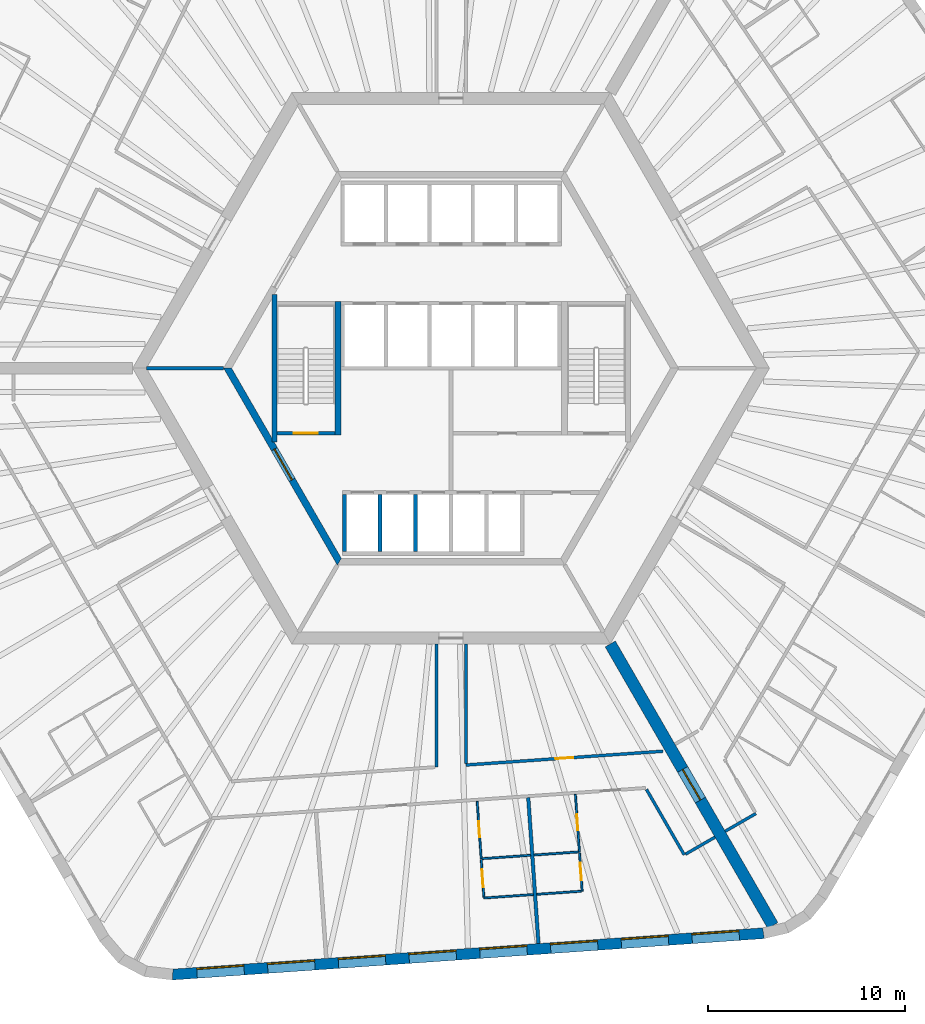
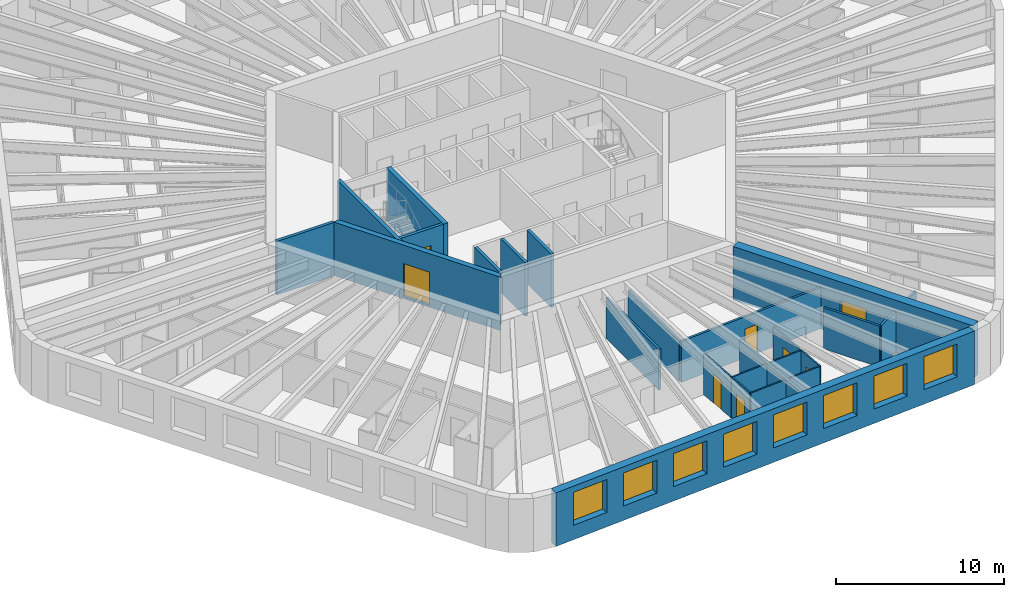
# One storey, part 4 of 11: 25 walls, 8 doors, 8 windows, 16 openings.
"""IFC4 building model written with IfcOpenShell, lengths in metres."""

from ifc_helpers import new_model, si_unit, direction, frame, frame_2d, origin, place, context, subcontext, project, spatial, polyline, rectangle, outline, extrude, material, layer, layer_set, type_object, element, fill, save


model = new_model("IFC4")

# Units and contexts
model_context = context("Model", 3, precision=1e-05, world=origin(), true_north=direction((0.0, 1.0)))
body_context = subcontext(model_context, "Body", "Model", "MODEL_VIEW")
ifc_project = project(units=[si_unit("LENGTHUNIT", "METRE"), si_unit("AREAUNIT", "SQUARE_METRE"), si_unit("VOLUMEUNIT", "CUBIC_METRE"), si_unit("PLANEANGLEUNIT", "RADIAN"), si_unit("MASSUNIT", "GRAM", prefix="KILO")], contexts=[model_context])

# Site, building, storey
site_placement = place(None, origin())
site = spatial("IfcSite", under=ifc_project, at=site_placement, CompositionType="ELEMENT")
building_placement = place(site_placement, origin())
building = spatial("IfcBuilding", under=site, at=building_placement, Name="Tarnside Tower", CompositionType="ELEMENT")
storey_placement = place(building_placement, frame((0.0, 0.0, 41.39990234375)))
storey = spatial("IfcBuildingStorey", under=building, at=storey_placement, Name="L07", CompositionType="ELEMENT", Elevation=41.39990234375)

# Wall, opening, door
ifc_material_1 = material(Name="Gypsum board partition on steel studs", Category="steel")
ifc_layer_1 = layer(ifc_material_1, 0.10009765625)
ifc_layer_set_1 = layer_set([ifc_layer_1], Name="Bathroom wall 100")
wall_type_1 = type_object("IfcWallType", Name="Bathroom wall 100", PredefinedType="PARTITIONING", material=ifc_layer_set_1)
wall_1_placement = place(storey_placement, frame((1.52978515625, -24.904052734375, 0.0), z_axis=(0.0, 0.0, 1.0), x_axis=(-0.069775971057, 0.997562686683, 0.0)))
wall_1 = element("IfcWall", 1, at=wall_1_placement, inside=storey, type_object=wall_type_1, Name="Bathroom wall 01116", PredefinedType="PARTITIONING", context=body_context, shape_type="SweptSolid", body=[
    extrude(rectangle(XDim=2.925048828125, YDim=0.10009765625, at=frame_2d((1.46240234375, 0.0))), origin(), (0.0, 0.0, 1.0), 2.98779296875),
])
opening_1_placement = place(wall_1_placement, frame((1.10009765625, 0.0, 0.0)))
opening_1 = element("IfcOpeningElement", 2, at=opening_1_placement, cuts=wall_1, Name="Opening D-B1", PredefinedType="OPENING", context=body_context, shape_type="SweptSolid", body=[
    extrude(rectangle(XDim=0.800048828125, YDim=2.10009765625, at=frame_2d((0.39990234375, 1.050048828125))), frame((0.0, 0.06005859375, 0.0), z_axis=(0.0, -1.0, 0.0), x_axis=(1.0, 0.0, 0.0)), (0.0, 0.0, 1.0), 0.1201171875),
])
ifc_material_2 = material(Name="Timber door leaf", Category="wood")
door_type_1 = type_object("IfcDoorType", Name="Bathroom door 800", OperationType="NOTDEFINED", PredefinedType="DOOR", material=ifc_material_2)
door_1_placement = place(opening_1_placement, origin())
door_1 = element("IfcDoor", 3, at=door_1_placement, inside=storey, type_object=door_type_1, Name="Bathroom door 01022", OperationType="SINGLE_SWING_LEFT", OverallHeight=2.10009765625, OverallWidth=0.800048828125, PredefinedType="DOOR", context=body_context, shape_type="SweptSolid", body=[
    extrude(rectangle(XDim=0.800048828125, YDim=2.10009765625, at=frame_2d((0.39990234375, 1.050048828125))), frame((0.0, 0.02490234375, 0.0), z_axis=(0.0, -1.0, 0.0), x_axis=(1.0, 0.0, 0.0)), (0.0, 0.0, 1.0), 0.050048828125),
])
fill(opening_1, door_1)

# Wall
wall_2_placement = place(storey_placement, frame((1.57958984375, -24.900390625, 0.0), z_axis=(0.0, 0.0, 1.0), x_axis=(0.997563389425, 0.069765923475, 0.0)))
element("IfcWall", 4, at=wall_2_placement, inside=storey, type_object=wall_type_1, Name="Bathroom wall 01120", PredefinedType="PARTITIONING", context=body_context, shape_type="SweptSolid", body=[
    extrude(rectangle(XDim=2.460205078125, YDim=0.10009765625, at=frame_2d((1.22998046875, 0.0))), origin(), (0.0, 0.0, 1.0), 2.98779296875),
])

# Wall, opening, door
wall_3_placement = place(storey_placement, frame((6.313720703125, -21.63720703125, 0.0), z_axis=(0.0, 0.0, 1.0), x_axis=(0.069692912611, -0.997568492852, 0.0)))
wall_3 = element("IfcWall", 5, at=wall_3_placement, inside=storey, type_object=wall_type_1, Name="Bathroom wall 01123", PredefinedType="PARTITIONING", context=body_context, shape_type="SweptSolid", body=[
    extrude(rectangle(XDim=2.925048828125, YDim=0.10009765625, at=frame_2d((1.46240234375, 0.0))), origin(), (0.0, 0.0, 1.0), 2.98779296875),
])
opening_2_placement = place(wall_3_placement, frame((1.02490234375, 0.0, 0.0)))
opening_2 = element("IfcOpeningElement", 6, at=opening_2_placement, cuts=wall_3, Name="Opening D-B1", PredefinedType="OPENING", context=body_context, shape_type="SweptSolid", body=[
    extrude(rectangle(XDim=0.800048828125, YDim=2.10009765625, at=frame_2d((0.39990234375, 1.050048828125))), frame((0.0, 0.06005859375, 0.0), z_axis=(0.0, -1.0, 0.0), x_axis=(1.0, 0.0, 0.0)), (0.0, 0.0, 1.0), 0.1201171875),
])
door_2_placement = place(opening_2_placement, origin())
door_2 = element("IfcDoor", 7, at=door_2_placement, inside=storey, type_object=door_type_1, Name="Bathroom door 01025", OperationType="SINGLE_SWING_RIGHT", OverallHeight=2.10009765625, OverallWidth=0.800048828125, PredefinedType="DOOR", context=body_context, shape_type="SweptSolid", body=[
    extrude(rectangle(XDim=0.800048828125, YDim=2.10009765625, at=frame_2d((0.39990234375, 1.050048828125))), frame((0.0, 0.02490234375, 0.0), z_axis=(0.0, -1.0, 0.0), x_axis=(1.0, 0.0, 0.0)), (0.0, 0.0, 1.0), 0.050048828125),
])
fill(opening_2, door_2)

# Wall
wall_4_placement = place(storey_placement, frame((4.21337890625, -24.71630859375, 0.0), z_axis=(0.0, 0.0, 1.0), x_axis=(0.997561825928, 0.069788275888, 0.0)))
element("IfcWall", 8, at=wall_4_placement, inside=storey, type_object=wall_type_1, Name="Bathroom wall 01126", PredefinedType="PARTITIONING", context=body_context, shape_type="SweptSolid", body=[
    extrude(rectangle(XDim=2.260009765625, YDim=0.10009765625, at=frame_2d((1.1298828125, 0.0))), origin(), (0.0, 0.0, 1.0), 2.98779296875),
])

# Wall, opening, door
ifc_material_3 = material(Name="Concrete C50/60", Category="concrete")
ifc_layer_2 = layer(ifc_material_3, 0.35009765625)
ifc_layer_set_2 = layer_set([ifc_layer_2], Name="Core block wall 350 C50/60")
wall_type_2 = type_object("IfcWallType", Name="Core block wall 350 C50/60", PredefinedType="SHEAR", material=ifc_layer_set_2)
wall_5_placement = place(storey_placement, frame((-11.344970703125, 0.0, -0.14990234375), z_axis=(0.0, 0.0, 1.0), x_axis=(0.499995046907, -0.866028263435, 0.0)))
wall_5 = element("IfcWall", 9, at=wall_5_placement, inside=storey, type_object=wall_type_2, Name="L07 core block wall face 3", PredefinedType="SHEAR", context=body_context, shape_type="SweptSolid", body=[
    extrude(outline(polyline([(-0.10107421875, -0.175048828125), (11.44580078125, -0.175048828125), (11.24365234375, 0.175048828125), (0.10107421875, 0.175048828125), (-0.10107421875, -0.175048828125)])), origin(), (0.0, 0.0, 1.0), 3.89990234375),
])
opening_3_placement = place(wall_5_placement, frame((4.74365234375, 0.0, 0.14990234375)))
opening_3 = element("IfcOpeningElement", 10, at=opening_3_placement, cuts=wall_5, Name="Opening CD-FFL", PredefinedType="OPENING", context=body_context, shape_type="SweptSolid", body=[
    extrude(rectangle(XDim=1.800048828125, YDim=2.39990234375, at=frame_2d((0.89990234375, 1.199951171875))), frame((0.0, 0.18505859375, 0.0), z_axis=(0.0, -1.0, 0.0), x_axis=(1.0, 0.0, 0.0)), (0.0, 0.0, 1.0), 0.3701171875),
])
ifc_material_4 = material(Name="Steel fire door", Category="steel")
door_type_2 = type_object("IfcDoorType", Name="Firefighting lobby double door FD60S 1800x2400", OperationType="NOTDEFINED", PredefinedType="DOOR", material=ifc_material_4)
door_3_placement = place(opening_3_placement, origin())
door_3 = element("IfcDoor", 11, at=door_3_placement, inside=storey, type_object=door_type_2, Name="L07 lobby block door P3", OperationType="DOUBLE_DOOR_SINGLE_SWING", OverallHeight=2.39990234375, OverallWidth=1.800048828125, PredefinedType="DOOR", context=body_context, shape_type="SweptSolid", body=[
    extrude(rectangle(XDim=1.800048828125, YDim=2.39990234375, at=frame_2d((0.89990234375, 1.199951171875))), frame((0.0, 0.02490234375, 0.0), z_axis=(0.0, -1.0, 0.0), x_axis=(1.0, 0.0, 0.0)), (0.0, 0.0, 1.0), 0.050048828125),
])
fill(opening_3, door_3)

ifc_material_5 = material(Name="Concrete C80/95", Category="concrete")
ifc_layer_3 = layer(ifc_material_5, 0.60009765625)
ifc_layer_set_3 = layer_set([ifc_layer_3], Name="Core wall Z1 600 C80/95")
wall_type_3 = type_object("IfcWallType", Name="Core wall Z1 600 C80/95", PredefinedType="SHEAR", material=ifc_layer_set_3)
wall_6_placement = place(storey_placement, frame((8.0830078125, -14.0, -0.14990234375), z_axis=(0.0, 0.0, 1.0), x_axis=(0.499997680643, -0.866026742862, 0.0)))
wall_6 = element("IfcWall", 12, at=wall_6_placement, inside=storey, type_object=wall_type_3, Name="L07 spine wall 3", PredefinedType="SHEAR", context=body_context, shape_type="SweptSolid", body=[
    extrude(rectangle(XDim=16.5087890625, YDim=0.60009765625, at=frame_2d((8.25439453125, 0.0))), origin(), (0.0, 0.0, 1.0), 3.89990234375),
])
opening_4_placement = place(wall_6_placement, frame((7.3544921875, 0.0, 0.14990234375)))
opening_4 = element("IfcOpeningElement", 13, at=opening_4_placement, cuts=wall_6, Name="Opening CD-SPN", PredefinedType="OPENING", context=body_context, shape_type="SweptSolid", body=[
    extrude(rectangle(XDim=1.800048828125, YDim=2.39990234375, at=frame_2d((0.89990234375, 1.199951171875))), frame((0.0, 0.31005859375, 0.0), z_axis=(0.0, -1.0, 0.0), x_axis=(1.0, 0.0, 0.0)), (0.0, 0.0, 1.0), 0.6201171875),
])
door_type_3 = type_object("IfcDoorType", Name="Spine passage double door FD60 1800x2400", OperationType="NOTDEFINED", PredefinedType="DOOR", material=ifc_material_4)
door_4_placement = place(opening_4_placement, origin())
door_4 = element("IfcDoor", 14, at=door_4_placement, inside=storey, type_object=door_type_3, Name="L07 spine passage door 3", OperationType="DOUBLE_DOOR_SINGLE_SWING", OverallHeight=2.39990234375, OverallWidth=1.800048828125, PredefinedType="DOOR", context=body_context, shape_type="SweptSolid", body=[
    extrude(rectangle(XDim=1.800048828125, YDim=2.39990234375, at=frame_2d((0.89990234375, 1.199951171875))), frame((0.0, 0.02490234375, 0.0), z_axis=(0.0, -1.0, 0.0), x_axis=(1.0, 0.0, 0.0)), (0.0, 0.0, 1.0), 0.050048828125),
])
fill(opening_4, door_4)

# Walls
ifc_layer_4 = layer(ifc_material_1, 0.14990234375)
ifc_layer_set_4 = layer_set([ifc_layer_4], Name="Corridor wall 150 EI 60")
wall_type_4 = type_object("IfcWallType", Name="Corridor wall 150 EI 60", PredefinedType="PARTITIONING", material=ifc_layer_set_4)
wall_7_placement = place(storey_placement, frame((9.921630859375, -21.385009765625, 0.0), z_axis=(0.0, 0.0, 1.0), x_axis=(0.500023335103, -0.866011930837, 0.0)))
element("IfcWall", 15, at=wall_7_placement, inside=storey, type_object=wall_type_4, Name="Corridor wall 01037", PredefinedType="PARTITIONING", context=body_context, shape_type="SweptSolid", body=[
    extrude(rectangle(XDim=3.839599609375, YDim=0.14990234375, at=frame_2d((1.919921875, 0.0))), origin(), (0.0, 0.0, 1.0), 2.98779296875),
])
wall_8_placement = place(storey_placement, frame((11.906494140625, -24.672607421875, 0.0), z_axis=(0.0, 0.0, 1.0), x_axis=(0.866013532718, 0.500020560727, 0.0)))
element("IfcWall", 16, at=wall_8_placement, inside=storey, type_object=wall_type_4, Name="Corridor wall 01038", PredefinedType="PARTITIONING", context=body_context, shape_type="SweptSolid", body=[
    extrude(rectangle(XDim=1.72509765625, YDim=0.14990234375, at=frame_2d((0.862548828125, 0.0))), origin(), (0.0, 0.0, 1.0), 2.98779296875),
])
wall_9_placement = place(storey_placement, frame((-0.75, -14.0, 0.0), z_axis=(0.0, 0.0, 1.0), x_axis=(0.0, -1.0, 0.0)))
element("IfcWall", 17, at=wall_9_placement, inside=storey, type_object=wall_type_4, Name="Corridor wall 01043", PredefinedType="PARTITIONING", context=body_context, shape_type="SweptSolid", body=[
    extrude(rectangle(XDim=6.251708984375, YDim=0.14990234375, at=frame_2d((3.1259765625, 0.0))), origin(), (0.0, 0.0, 1.0), 2.98779296875),
])

# Wall, opening, door
wall_10_placement = place(storey_placement, frame((10.75439453125, -19.447265625, 0.0), z_axis=(0.0, 0.0, 1.0), x_axis=(-0.997564830966, -0.069745308232, 0.0)))
wall_10 = element("IfcWall", 18, at=wall_10_placement, inside=storey, type_object=wall_type_4, Name="Corridor wall 01047", PredefinedType="PARTITIONING", context=body_context, shape_type="SweptSolid", body=[
    extrude(rectangle(XDim=10.02880859375, YDim=0.14990234375, at=frame_2d((5.014404296875, 0.0))), origin(), (0.0, 0.0, 1.0), 2.98779296875),
])
opening_5_placement = place(wall_10_placement, frame((4.564453125, 0.0, 0.0)))
opening_5 = element("IfcOpeningElement", 19, at=opening_5_placement, cuts=wall_10, Name="Opening D-S1", PredefinedType="OPENING", context=body_context, shape_type="SweptSolid", body=[
    extrude(rectangle(XDim=0.89990234375, YDim=2.10009765625, at=frame_2d((0.449951171875, 1.050048828125))), frame((0.0, 0.0849609375, 0.0), z_axis=(0.0, -1.0, 0.0), x_axis=(1.0, 0.0, 0.0)), (0.0, 0.0, 1.0), 0.169921875),
])
door_type_4 = type_object("IfcDoorType", Name="Service room door 900 FD30S", OperationType="NOTDEFINED", PredefinedType="DOOR", material=ifc_material_2)
door_5_placement = place(opening_5_placement, origin())
door_5 = element("IfcDoor", 20, at=door_5_placement, inside=storey, type_object=door_type_4, Name="Service door 01047", OperationType="SINGLE_SWING_LEFT", OverallHeight=2.10009765625, OverallWidth=0.89990234375, PredefinedType="DOOR", context=body_context, shape_type="SweptSolid", body=[
    extrude(rectangle(XDim=0.89990234375, YDim=2.10009765625, at=frame_2d((0.449951171875, 1.050048828125))), frame((0.0, 0.02490234375, 0.0), z_axis=(0.0, -1.0, 0.0), x_axis=(1.0, 0.0, 0.0)), (0.0, 0.0, 1.0), 0.050048828125),
])
fill(opening_5, door_5)

# Walls
wall_11_placement = place(storey_placement, frame((0.75, -20.071533203125, 0.0), z_axis=(0.0, 0.0, 1.0), x_axis=(0.0, 1.0, 0.0)))
element("IfcWall", 21, at=wall_11_placement, inside=storey, type_object=wall_type_4, Name="Corridor wall 01048", PredefinedType="PARTITIONING", context=body_context, shape_type="SweptSolid", body=[
    extrude(rectangle(XDim=6.071533203125, YDim=0.14990234375, at=frame_2d((3.03564453125, 0.0))), origin(), (0.0, 0.0, 1.0), 2.98779296875),
])
wall_12_placement = place(storey_placement, frame((13.919921875, -23.510009765625, 0.0), z_axis=(0.0, 0.0, 1.0), x_axis=(0.866047807691, 0.499961193289, 0.0)))
element("IfcWall", 22, at=wall_12_placement, inside=storey, type_object=wall_type_4, Name="Corridor wall 01049", PredefinedType="PARTITIONING", context=body_context, shape_type="SweptSolid", body=[
    extrude(rectangle(XDim=1.800048828125, YDim=0.14990234375, at=frame_2d((0.89990234375, 0.0))), origin(), (0.0, 0.0, 1.0), 2.98779296875),
])
ifc_layer_5 = layer(ifc_material_1, 0.179931640625)
ifc_layer_set_5 = layer_set([ifc_layer_5], Name="Demising wall 180 EI 60")
wall_type_5 = type_object("IfcWallType", Name="Demising wall 180 EI 60", PredefinedType="PARTITIONING", material=ifc_layer_set_5)
wall_13_placement = place(storey_placement, frame((4.4375, -29.211669921875, 0.0), z_axis=(0.0, 0.0, 1.0), x_axis=(-0.06977252161, 0.997562927954, 0.0)))
element("IfcWall", 23, at=wall_13_placement, inside=storey, type_object=wall_type_5, Name="Demising wall 01119", PredefinedType="PARTITIONING", context=body_context, shape_type="SweptSolid", body=[
    extrude(rectangle(XDim=7.425048828125, YDim=0.179931640625, at=frame_2d((3.71240234375, 0.0))), origin(), (0.0, 0.0, 1.0), 2.98779296875),
])
ifc_material_6 = material(Name="Concrete C40/50", Category="concrete")
ifc_layer_6 = layer(ifc_material_6, 0.199951171875)
ifc_layer_set_6 = layer_set([ifc_layer_6], Name="Lift shaft wall 200 C40/50")
wall_type_6 = type_object("IfcWallType", Name="Lift shaft wall 200 C40/50", PredefinedType="SHEAR", material=ifc_layer_set_6)
for number, where, z_axis, x_axis, name in (
    (24, (-5.39990234375, -9.300048828125, -0.25), (0.0, 0.0, 1.0), (0.0, 1.0, 0.0), "L07 lift shaft partition R41"),
    (25, (-3.60009765625, -9.300048828125, -0.25), (0.0, 0.0, 1.0), (0.0, 1.0, 0.0), "L07 lift shaft partition R42"),
    (26, (-1.800048828125, -9.300048828125, -0.25), (0.0, 0.0, 1.0), (0.0, 1.0, 0.0), "L07 lift shaft partition R43"),
):
    element("IfcWall", number, at=place(storey_placement, frame(where, z_axis=z_axis, x_axis=x_axis)), inside=storey, type_object=wall_type_6, Name=name, PredefinedType="SHEAR", context=body_context, shape_type="SweptSolid", body=[
        extrude(rectangle(XDim=2.900146484375, YDim=0.199951171875, at=frame_2d((1.4501953125, 0.0))), origin(), (0.0, 0.0, 1.0), 3.900146484375),
    ])
wall_14_placement = place(storey_placement, frame((-11.547119140625, 0.0, -0.14990234375), z_axis=(0.0, 0.0, 1.0), x_axis=(-1.0, 0.0, 0.0)))
element("IfcWall", 27, at=wall_14_placement, inside=storey, type_object=wall_type_6, Name="L07 core partition AR180", PredefinedType="SHEAR", context=body_context, shape_type="SweptSolid", body=[
    extrude(rectangle(XDim=3.92578125, YDim=0.199951171875, at=frame_2d((1.962890625, 0.0))), origin(), (0.0, 0.0, 1.0), 3.89990234375),
])

# Wall, opening, door
wall_15_placement = place(storey_placement, frame((-8.85009765625, -3.300048828125, -0.25), z_axis=(0.0, 0.0, 1.0), x_axis=(1.0, 0.0, 0.0)))
wall_15 = element("IfcWall", 28, at=wall_15_placement, inside=storey, type_object=wall_type_6, Name="L07 stair 2 enclosure cap wall s", PredefinedType="SHEAR", context=body_context, shape_type="SweptSolid", body=[
    extrude(rectangle(XDim=2.9501953125, YDim=0.199951171875, at=frame_2d((1.47509765625, 0.0))), origin(), (0.0, 0.0, 1.0), 3.900146484375),
])
opening_6_placement = place(wall_15_placement, frame((0.875, 0.0, 0.25)))
opening_6 = element("IfcOpeningElement", 29, at=opening_6_placement, cuts=wall_15, Name="Opening CD-STR", PredefinedType="OPENING", context=body_context, shape_type="SweptSolid", body=[
    extrude(rectangle(XDim=1.199951171875, YDim=2.39990234375, at=frame_2d((0.60009765625, 1.199951171875))), frame((0.0, 0.10986328125, 0.0), z_axis=(0.0, -1.0, 0.0), x_axis=(1.0, 0.0, 0.0)), (0.0, 0.0, 1.0), 0.219970703125),
])
door_type_5 = type_object("IfcDoorType", Name="Stair door FD60S 1200x2400", OperationType="NOTDEFINED", PredefinedType="DOOR", material=ifc_material_4)
door_6_placement = place(opening_6_placement, origin())
door_6 = element("IfcDoor", 30, at=door_6_placement, inside=storey, type_object=door_type_5, Name="L07 stair 2 door", OperationType="SINGLE_SWING_LEFT", OverallHeight=2.39990234375, OverallWidth=1.199951171875, PredefinedType="DOOR", context=body_context, shape_type="SweptSolid", body=[
    extrude(rectangle(XDim=1.199951171875, YDim=2.39990234375, at=frame_2d((0.60009765625, 1.199951171875))), frame((0.0, 0.02490234375, 0.0), z_axis=(0.0, -1.0, 0.0), x_axis=(1.0, 0.0, 0.0)), (0.0, 0.0, 1.0), 0.050048828125),
])
fill(opening_6, door_6)

# Wall
ifc_layer_7 = layer(ifc_material_1, 0.10009765625)
ifc_layer_set_7 = layer_set([ifc_layer_7], Name="Partition 100")
wall_type_7 = type_object("IfcWallType", Name="Partition 100", PredefinedType="PARTITIONING", material=ifc_layer_set_7)
wall_16_placement = place(storey_placement, frame((4.17333984375, -26.723876953125, 0.0), z_axis=(0.0, 0.0, 1.0), x_axis=(-0.997558425079, -0.069836871022, 0.0)))
element("IfcWall", 31, at=wall_16_placement, inside=storey, type_object=wall_type_7, Name="Partition wall 01117", PredefinedType="PARTITIONING", context=body_context, shape_type="SweptSolid", body=[
    extrude(rectangle(XDim=2.510009765625, YDim=0.10009765625, at=frame_2d((1.2548828125, 0.0))), origin(), (0.0, 0.0, 1.0), 2.98779296875),
])

# Wall, opening, door
wall_17_placement = place(storey_placement, frame((1.665771484375, -26.84912109375, 0.0), z_axis=(0.0, 0.0, 1.0), x_axis=(-0.069776698601, 0.997562635794, 0.0)))
wall_17 = element("IfcWall", 32, at=wall_17_placement, inside=storey, type_object=wall_type_7, Name="Partition wall 01118", PredefinedType="PARTITIONING", context=body_context, shape_type="SweptSolid", body=[
    extrude(rectangle(XDim=1.89990234375, YDim=0.10009765625, at=frame_2d((0.949951171875, 0.0))), origin(), (0.0, 0.0, 1.0), 2.98779296875),
])
opening_7_placement = place(wall_17_placement, frame((0.5, 0.0, 0.0)))
opening_7 = element("IfcOpeningElement", 33, at=opening_7_placement, cuts=wall_17, Name="Opening D-I1", PredefinedType="OPENING", context=body_context, shape_type="SweptSolid", body=[
    extrude(rectangle(XDim=0.89990234375, YDim=2.10009765625, at=frame_2d((0.449951171875, 1.050048828125))), frame((0.0, 0.06005859375, 0.0), z_axis=(0.0, -1.0, 0.0), x_axis=(1.0, 0.0, 0.0)), (0.0, 0.0, 1.0), 0.1201171875),
])
door_type_6 = type_object("IfcDoorType", Name="Internal door 900", OperationType="NOTDEFINED", PredefinedType="DOOR", material=ifc_material_2)
door_7_placement = place(opening_7_placement, origin())
door_7 = element("IfcDoor", 34, at=door_7_placement, inside=storey, type_object=door_type_6, Name="Internal door 01023", OperationType="SINGLE_SWING_RIGHT", OverallHeight=2.10009765625, OverallWidth=0.89990234375, PredefinedType="DOOR", context=body_context, shape_type="SweptSolid", body=[
    extrude(rectangle(XDim=0.89990234375, YDim=2.10009765625, at=frame_2d((0.449951171875, 1.050048828125))), frame((0.0, 0.02490234375, 0.0), z_axis=(0.0, -1.0, 0.0), x_axis=(1.0, 0.0, 0.0)), (0.0, 0.0, 1.0), 0.050048828125),
])
fill(opening_7, door_7)

wall_18_placement = place(storey_placement, frame((6.521240234375, -24.60498046875, 0.0), z_axis=(0.0, 0.0, 1.0), x_axis=(0.069734442015, -0.997565590624, 0.0)))
wall_18 = element("IfcWall", 35, at=wall_18_placement, inside=storey, type_object=wall_type_7, Name="Partition wall 01124", PredefinedType="PARTITIONING", context=body_context, shape_type="SweptSolid", body=[
    extrude(rectangle(XDim=1.949951171875, YDim=0.10009765625, at=frame_2d((0.97509765625, 0.0))), origin(), (0.0, 0.0, 1.0), 2.98779296875),
])
opening_8_placement = place(wall_18_placement, frame((0.5, 0.0, 0.0)))
opening_8 = element("IfcOpeningElement", 36, at=opening_8_placement, cuts=wall_18, Name="Opening D-I1", PredefinedType="OPENING", context=body_context, shape_type="SweptSolid", body=[
    extrude(rectangle(XDim=0.89990234375, YDim=2.10009765625, at=frame_2d((0.449951171875, 1.050048828125))), frame((0.0, 0.06005859375, 0.0), z_axis=(0.0, -1.0, 0.0), x_axis=(1.0, 0.0, 0.0)), (0.0, 0.0, 1.0), 0.1201171875),
])
door_8_placement = place(opening_8_placement, origin())
door_8 = element("IfcDoor", 37, at=door_8_placement, inside=storey, type_object=door_type_6, Name="Internal door 01026", OperationType="SINGLE_SWING_RIGHT", OverallHeight=2.10009765625, OverallWidth=0.89990234375, PredefinedType="DOOR", context=body_context, shape_type="SweptSolid", body=[
    extrude(rectangle(XDim=0.89990234375, YDim=2.10009765625, at=frame_2d((0.449951171875, 1.050048828125))), frame((0.0, 0.02490234375, 0.0), z_axis=(0.0, -1.0, 0.0), x_axis=(1.0, 0.0, 0.0)), (0.0, 0.0, 1.0), 0.050048828125),
])
fill(opening_8, door_8)

# Walls
wall_19_placement = place(storey_placement, frame((6.607177734375, -26.5537109375, 0.0), z_axis=(0.0, 0.0, 1.0), x_axis=(-0.997561825928, -0.069788275888, 0.0)))
element("IfcWall", 38, at=wall_19_placement, inside=storey, type_object=wall_type_7, Name="Partition wall 01125", PredefinedType="PARTITIONING", context=body_context, shape_type="SweptSolid", body=[
    extrude(rectangle(XDim=2.260009765625, YDim=0.10009765625, at=frame_2d((1.1298828125, 0.0))), origin(), (0.0, 0.0, 1.0), 2.98779296875),
])
ifc_layer_8 = layer(ifc_material_6, 0.25)
ifc_layer_set_8 = layer_set([ifc_layer_8], Name="Stair enclosure wall 250 C40/50")
wall_type_8 = type_object("IfcWallType", Name="Stair enclosure wall 250 C40/50", PredefinedType="SHEAR", material=ifc_layer_set_8)
wall_20_placement = place(storey_placement, frame((-8.97509765625, -3.7548828125, -0.25), z_axis=(0.0, 0.0, 1.0), x_axis=(0.0, 1.0, 0.0)))
element("IfcWall", 39, at=wall_20_placement, inside=storey, type_object=wall_type_8, Name="L07 stair 2 enclosure wall outer", PredefinedType="SHEAR", context=body_context, shape_type="SweptSolid", body=[
    extrude(rectangle(XDim=7.509765625, YDim=0.25, at=frame_2d((3.7548828125, 0.0))), origin(), (0.0, 0.0, 1.0), 3.900146484375),
])
ifc_layer_9 = layer(ifc_material_6, 0.300048828125)
ifc_layer_set_9 = layer_set([ifc_layer_9], Name="Stair enclosure wall 300 C40/50")
wall_type_9 = type_object("IfcWallType", Name="Stair enclosure wall 300 C40/50", PredefinedType="SHEAR", material=ifc_layer_set_9)
wall_21_placement = place(storey_placement, frame((-5.75, -3.39990234375, -0.25), z_axis=(0.0, 0.0, 1.0), x_axis=(0.0, 1.0, 0.0)))
element("IfcWall", 40, at=wall_21_placement, inside=storey, type_object=wall_type_9, Name="L07 stair 2 enclosure wall inner", PredefinedType="SHEAR", context=body_context, shape_type="SweptSolid", body=[
    extrude(rectangle(XDim=6.7998046875, YDim=0.300048828125, at=frame_2d((3.39990234375, 0.0))), origin(), (0.0, 0.0, 1.0), 3.900146484375),
])

# Wall, openings, windows
ifc_material_7 = material(Name="Facing brick", Category="masonry")
ifc_layer_10 = layer(ifc_material_7, 0.10205078125)
ifc_material_8 = material(Name="Concrete C60/75 precast", Category="concrete")
ifc_layer_11 = layer(ifc_material_8, 0.347900390625)
ifc_material_9 = material(Name="Mineral wool insulation")
ifc_layer_12 = layer(ifc_material_9, 0.10009765625)
ifc_layer_set_10 = layer_set([ifc_layer_10, ifc_layer_11, ifc_layer_12], Name="Tube wall 550 brick faced")
wall_type_10 = type_object("IfcWallType", Name="Tube wall 550 brick faced", PredefinedType="SOLIDWALL", material=ifc_layer_set_10)
wall_22_placement = place(storey_placement, frame((-14.133544921875, -30.785888671875, -0.14990234375), z_axis=(0.0, 0.0, 1.0), x_axis=(0.997564037441, 0.069756657061, 0.0)))
wall_22 = element("IfcWall", 41, at=wall_22_placement, inside=storey, type_object=wall_type_10, Name="Tube wall L07 F4 flush 12", PredefinedType="SOLIDWALL", context=body_context, shape_type="SweptSolid", body=[
    extrude(outline(polyline([(-0.025634765625, -0.27490234375), (30.093505859375, -0.27490234375), (30.048583984375, 0.27490234375), (0.025634765625, 0.27490234375), (-0.025634765625, -0.27490234375)])), origin(), (0.0, 0.0, 1.0), 3.89990234375),
])
opening_9_placement = place(wall_22_placement, frame((1.235595703125, 0.0, 1.050048828125)))
opening_9 = element("IfcOpeningElement", 42, at=opening_9_placement, cuts=wall_22, Name="Opening WH", PredefinedType="OPENING", context=body_context, shape_type="SweptSolid", body=[
    extrude(rectangle(XDim=2.39990234375, YDim=2.39990234375, at=frame_2d((1.199951171875, 1.199951171875))), frame((0.0, 0.28515625, 0.0), z_axis=(0.0, -1.0, 0.0), x_axis=(1.0, 0.0, 0.0)), (0.0, 0.0, 1.0), 0.570068359375),
])
opening_10_placement = place(wall_22_placement, frame((4.83544921875, 0.0, 1.050048828125)))
opening_10 = element("IfcOpeningElement", 43, at=opening_10_placement, cuts=wall_22, Name="Opening WH", PredefinedType="OPENING", context=body_context, shape_type="SweptSolid", body=[
    extrude(rectangle(XDim=2.39990234375, YDim=2.39990234375, at=frame_2d((1.199951171875, 1.199951171875))), frame((0.0, 0.28515625, 0.0), z_axis=(0.0, -1.0, 0.0), x_axis=(1.0, 0.0, 0.0)), (0.0, 0.0, 1.0), 0.570068359375),
])
opening_11_placement = place(wall_22_placement, frame((8.435546875, 0.0, 1.050048828125)))
opening_11 = element("IfcOpeningElement", 44, at=opening_11_placement, cuts=wall_22, Name="Opening WH", PredefinedType="OPENING", context=body_context, shape_type="SweptSolid", body=[
    extrude(rectangle(XDim=2.39990234375, YDim=2.39990234375, at=frame_2d((1.199951171875, 1.199951171875))), frame((0.0, 0.28515625, 0.0), z_axis=(0.0, -1.0, 0.0), x_axis=(1.0, 0.0, 0.0)), (0.0, 0.0, 1.0), 0.570068359375),
])
opening_12_placement = place(wall_22_placement, frame((12.035400390625, 0.0, 1.050048828125)))
opening_12 = element("IfcOpeningElement", 45, at=opening_12_placement, cuts=wall_22, Name="Opening WH", PredefinedType="OPENING", context=body_context, shape_type="SweptSolid", body=[
    extrude(rectangle(XDim=2.39990234375, YDim=2.39990234375, at=frame_2d((1.199951171875, 1.199951171875))), frame((0.0, 0.28515625, 0.0), z_axis=(0.0, -1.0, 0.0), x_axis=(1.0, 0.0, 0.0)), (0.0, 0.0, 1.0), 0.570068359375),
])
opening_13_placement = place(wall_22_placement, frame((15.635498046875, 0.0, 1.050048828125)))
opening_13 = element("IfcOpeningElement", 46, at=opening_13_placement, cuts=wall_22, Name="Opening WH", PredefinedType="OPENING", context=body_context, shape_type="SweptSolid", body=[
    extrude(rectangle(XDim=2.39990234375, YDim=2.39990234375, at=frame_2d((1.199951171875, 1.199951171875))), frame((0.0, 0.28515625, 0.0), z_axis=(0.0, -1.0, 0.0), x_axis=(1.0, 0.0, 0.0)), (0.0, 0.0, 1.0), 0.570068359375),
])
opening_14_placement = place(wall_22_placement, frame((19.235595703125, 0.0, 1.050048828125)))
opening_14 = element("IfcOpeningElement", 47, at=opening_14_placement, cuts=wall_22, Name="Opening WH", PredefinedType="OPENING", context=body_context, shape_type="SweptSolid", body=[
    extrude(rectangle(XDim=2.39990234375, YDim=2.39990234375, at=frame_2d((1.199951171875, 1.199951171875))), frame((0.0, 0.28515625, 0.0), z_axis=(0.0, -1.0, 0.0), x_axis=(1.0, 0.0, 0.0)), (0.0, 0.0, 1.0), 0.570068359375),
])
opening_15_placement = place(wall_22_placement, frame((22.83544921875, 0.0, 1.050048828125)))
opening_15 = element("IfcOpeningElement", 48, at=opening_15_placement, cuts=wall_22, Name="Opening WH", PredefinedType="OPENING", context=body_context, shape_type="SweptSolid", body=[
    extrude(rectangle(XDim=2.39990234375, YDim=2.39990234375, at=frame_2d((1.199951171875, 1.199951171875))), frame((0.0, 0.28515625, 0.0), z_axis=(0.0, -1.0, 0.0), x_axis=(1.0, 0.0, 0.0)), (0.0, 0.0, 1.0), 0.570068359375),
])
opening_16_placement = place(wall_22_placement, frame((26.435546875, 0.0, 1.050048828125)))
opening_16 = element("IfcOpeningElement", 49, at=opening_16_placement, cuts=wall_22, Name="Opening WH", PredefinedType="OPENING", context=body_context, shape_type="SweptSolid", body=[
    extrude(rectangle(XDim=2.39990234375, YDim=2.39990234375, at=frame_2d((1.199951171875, 1.199951171875))), frame((0.0, 0.28515625, 0.0), z_axis=(0.0, -1.0, 0.0), x_axis=(1.0, 0.0, 0.0)), (0.0, 0.0, 1.0), 0.570068359375),
])
ifc_material_10 = material(Name="Aluminium-framed double glazing", Category="aluminium")
window_type = type_object("IfcWindowType", Name="Hotel window 2400 x 2400", PartitioningType="DOUBLE_PANEL_VERTICAL", PredefinedType="WINDOW", material=ifc_material_10)
window_1_placement = place(opening_9_placement, frame((0.0, 0.205078125, 0.0)))
window_1 = element("IfcWindow", 50, at=window_1_placement, inside=storey, type_object=window_type, Name="E.WN.L07.F4.00", OverallHeight=2.39990234375, OverallWidth=2.39990234375, PartitioningType="DOUBLE_PANEL_VERTICAL", PredefinedType="WINDOW", context=body_context, shape_type="SweptSolid", body=[
    extrude(rectangle(XDim=2.39990234375, YDim=2.39990234375, at=frame_2d((1.199951171875, 1.199951171875))), frame((0.0, 0.030029296875, 0.0), z_axis=(0.0, -1.0, 0.0), x_axis=(1.0, 0.0, 0.0)), (0.0, 0.0, 1.0), 0.06005859375),
])
fill(opening_9, window_1)
window_2_placement = place(opening_10_placement, frame((0.0, 0.205078125, 0.0)))
window_2 = element("IfcWindow", 51, at=window_2_placement, inside=storey, type_object=window_type, Name="E.WN.L07.F4.01", OverallHeight=2.39990234375, OverallWidth=2.39990234375, PartitioningType="DOUBLE_PANEL_VERTICAL", PredefinedType="WINDOW", context=body_context, shape_type="SweptSolid", body=[
    extrude(rectangle(XDim=2.39990234375, YDim=2.39990234375, at=frame_2d((1.199951171875, 1.199951171875))), frame((0.0, 0.030029296875, 0.0), z_axis=(0.0, -1.0, 0.0), x_axis=(1.0, 0.0, 0.0)), (0.0, 0.0, 1.0), 0.06005859375),
])
fill(opening_10, window_2)
window_3_placement = place(opening_11_placement, frame((0.0, 0.205078125, 0.0)))
window_3 = element("IfcWindow", 52, at=window_3_placement, inside=storey, type_object=window_type, Name="E.WN.L07.F4.02", OverallHeight=2.39990234375, OverallWidth=2.39990234375, PartitioningType="DOUBLE_PANEL_VERTICAL", PredefinedType="WINDOW", context=body_context, shape_type="SweptSolid", body=[
    extrude(rectangle(XDim=2.39990234375, YDim=2.39990234375, at=frame_2d((1.199951171875, 1.199951171875))), frame((0.0, 0.030029296875, 0.0), z_axis=(0.0, -1.0, 0.0), x_axis=(1.0, 0.0, 0.0)), (0.0, 0.0, 1.0), 0.06005859375),
])
fill(opening_11, window_3)
window_4_placement = place(opening_12_placement, frame((0.0, 0.205078125, 0.0)))
window_4 = element("IfcWindow", 53, at=window_4_placement, inside=storey, type_object=window_type, Name="E.WN.L07.F4.03", OverallHeight=2.39990234375, OverallWidth=2.39990234375, PartitioningType="DOUBLE_PANEL_VERTICAL", PredefinedType="WINDOW", context=body_context, shape_type="SweptSolid", body=[
    extrude(rectangle(XDim=2.39990234375, YDim=2.39990234375, at=frame_2d((1.199951171875, 1.199951171875))), frame((0.0, 0.030029296875, 0.0), z_axis=(0.0, -1.0, 0.0), x_axis=(1.0, 0.0, 0.0)), (0.0, 0.0, 1.0), 0.06005859375),
])
fill(opening_12, window_4)
window_5_placement = place(opening_13_placement, frame((0.0, 0.205078125, 0.0)))
window_5 = element("IfcWindow", 54, at=window_5_placement, inside=storey, type_object=window_type, Name="E.WN.L07.F4.04", OverallHeight=2.39990234375, OverallWidth=2.39990234375, PartitioningType="DOUBLE_PANEL_VERTICAL", PredefinedType="WINDOW", context=body_context, shape_type="SweptSolid", body=[
    extrude(rectangle(XDim=2.39990234375, YDim=2.39990234375, at=frame_2d((1.199951171875, 1.199951171875))), frame((0.0, 0.030029296875, 0.0), z_axis=(0.0, -1.0, 0.0), x_axis=(1.0, 0.0, 0.0)), (0.0, 0.0, 1.0), 0.06005859375),
])
fill(opening_13, window_5)
window_6_placement = place(opening_14_placement, frame((0.0, 0.205078125, 0.0)))
window_6 = element("IfcWindow", 55, at=window_6_placement, inside=storey, type_object=window_type, Name="E.WN.L07.F4.05", OverallHeight=2.39990234375, OverallWidth=2.39990234375, PartitioningType="DOUBLE_PANEL_VERTICAL", PredefinedType="WINDOW", context=body_context, shape_type="SweptSolid", body=[
    extrude(rectangle(XDim=2.39990234375, YDim=2.39990234375, at=frame_2d((1.199951171875, 1.199951171875))), frame((0.0, 0.030029296875, 0.0), z_axis=(0.0, -1.0, 0.0), x_axis=(1.0, 0.0, 0.0)), (0.0, 0.0, 1.0), 0.06005859375),
])
fill(opening_14, window_6)
window_7_placement = place(opening_15_placement, frame((0.0, 0.205078125, 0.0)))
window_7 = element("IfcWindow", 56, at=window_7_placement, inside=storey, type_object=window_type, Name="E.WN.L07.F4.06", OverallHeight=2.39990234375, OverallWidth=2.39990234375, PartitioningType="DOUBLE_PANEL_VERTICAL", PredefinedType="WINDOW", context=body_context, shape_type="SweptSolid", body=[
    extrude(rectangle(XDim=2.39990234375, YDim=2.39990234375, at=frame_2d((1.199951171875, 1.199951171875))), frame((0.0, 0.030029296875, 0.0), z_axis=(0.0, -1.0, 0.0), x_axis=(1.0, 0.0, 0.0)), (0.0, 0.0, 1.0), 0.06005859375),
])
fill(opening_15, window_7)
window_8_placement = place(opening_16_placement, frame((0.0, 0.205078125, 0.0)))
window_8 = element("IfcWindow", 57, at=window_8_placement, inside=storey, type_object=window_type, Name="E.WN.L07.F4.07", OverallHeight=2.39990234375, OverallWidth=2.39990234375, PartitioningType="DOUBLE_PANEL_VERTICAL", PredefinedType="WINDOW", context=body_context, shape_type="SweptSolid", body=[
    extrude(rectangle(XDim=2.39990234375, YDim=2.39990234375, at=frame_2d((1.199951171875, 1.199951171875))), frame((0.0, 0.030029296875, 0.0), z_axis=(0.0, -1.0, 0.0), x_axis=(1.0, 0.0, 0.0)), (0.0, 0.0, 1.0), 0.06005859375),
])
fill(opening_16, window_8)

save(model, "model.ifc")
